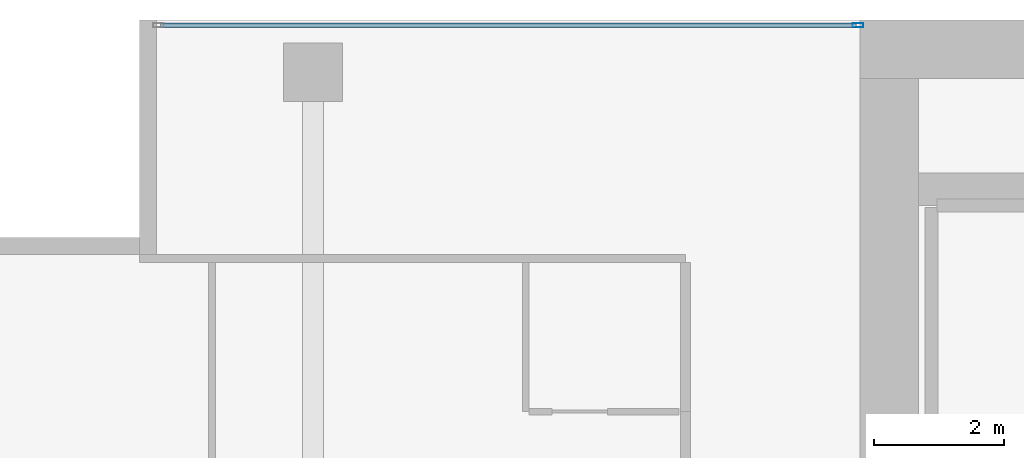
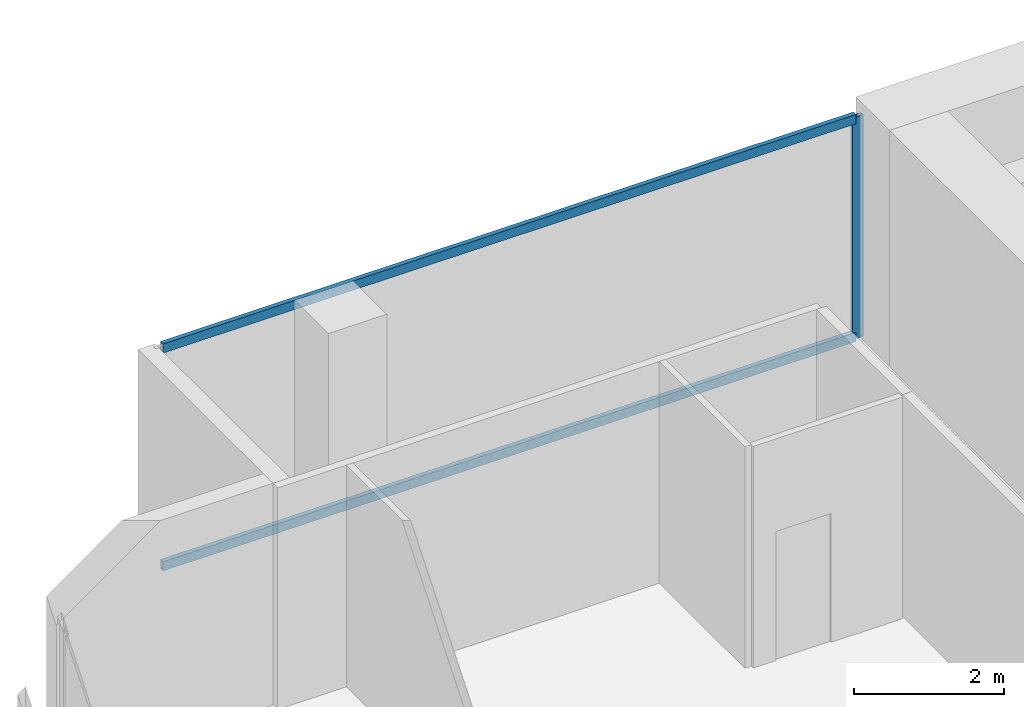
# One storey, part 26 of 39: 3 members, 1 element without a shape of its own.
"""IFC4 building model written with IfcOpenShell, lengths in metres."""

from ifc_helpers import new_model, si_unit, direction, frame, origin, origin_2d, place, context, subcontext, project, spatial, hollow_rectangle, extrude, material, layer, layer_set, material_profile, profile_set, type_object, element, aggregate, save


model = new_model("IFC4")

# Units and contexts
model_context = context("Model", 3, precision=1e-05, world=origin(), true_north=direction((0.0, 1.0)))
body_context = subcontext(model_context, "Body", "Model", "MODEL_VIEW")
ifc_project = project(units=[si_unit("LENGTHUNIT", "METRE"), si_unit("AREAUNIT", "SQUARE_METRE"), si_unit("VOLUMEUNIT", "CUBIC_METRE"), si_unit("PLANEANGLEUNIT", "RADIAN"), si_unit("MASSUNIT", "GRAM", prefix="KILO")], contexts=[model_context])

# Site, building, storey
site_placement = place(None, origin())
site = spatial("IfcSite", under=ifc_project, at=site_placement, CompositionType="ELEMENT")
building_placement = place(site_placement, origin())
building = spatial("IfcBuilding", under=site, at=building_placement, Name="Maruvema Waterfront Hotel and Observation Tower", CompositionType="ELEMENT")
storey_placement = place(building_placement, frame((0.0, 0.0, 65.449951171875)))
storey = spatial("IfcBuildingStorey", under=building, at=storey_placement, Name="L15", CompositionType="ELEMENT", Elevation=65.449951171875)

# Curtain wall, members
ifc_material_1 = material(Name="Anodised bronze aluminium and solar-control low-E IGU", Category="aluminium")
ifc_layer = layer(ifc_material_1, 0.159912109375, Name="Zone 1 Bronze Inner Thermal Curtain Wall System CW-02")
ifc_layer_set = layer_set([ifc_layer], Name="Anodised bronze aluminium and solar-control low-E IGU")
curtain_wall_type = type_object("IfcCurtainWallType", Name="Zone 1 Bronze Inner Thermal Curtain Wall System CW-02", PredefinedType="USERDEFINED", material=ifc_layer_set)
curtain_wall_placement = place(storey_placement, origin())
curtain_wall = element("IfcCurtainWall", 1, at=curtain_wall_placement, inside=storey, type_object=curtain_wall_type, Name="L15 Curtain Wall CW-L15-NW", ObjectType="UNITISED CURTAIN WALL", PredefinedType="USERDEFINED")
ifc_material_2 = material(Name="Anodised architectural bronze aluminium", Category="aluminium")
ifc_material_profile_1 = material_profile(ifc_material_2, hollow_rectangle(XDim=0.070068359375, YDim=0.14990234375, WallThickness=0.00390625, at=origin_2d()), Name="ALU-T70x150")
ifc_profile_set_1 = profile_set([ifc_material_profile_1], Name="Anodised architectural bronze aluminium")
member_type_1 = type_object("IfcMemberType", Name="Curtain Wall Horizontal Transom ALU-T70x150", PredefinedType="USERDEFINED", material=ifc_profile_set_1)
member_1_placement = place(storey_placement, frame((25.139892578125, 53.919921875, 0.030029296875), z_axis=(-1.0, 0.0, 0.0), x_axis=(0.0, -1.0, 0.0)))
member_1 = element("IfcMember", 2, at=member_1_placement, type_object=member_type_1, Name="CW-02 transom 1.1", ObjectType="TRANSOM", PredefinedType="USERDEFINED", context=body_context, shape_type="SweptSolid", body=[
    extrude(hollow_rectangle(XDim=0.070068359375, YDim=0.14990234375, WallThickness=0.00390625, at=origin_2d()), origin(), (0.0, 0.0, 1.0), 10.679931640625),
])
member_2_placement = place(storey_placement, frame((25.139892578125, 53.919921875, 3.580078125), z_axis=(-1.0, 0.0, 0.0), x_axis=(0.0, -1.0, 0.0)))
member_2 = element("IfcMember", 3, at=member_2_placement, type_object=member_type_1, Name="CW-02 transom 1.2", ObjectType="TRANSOM", PredefinedType="USERDEFINED", context=body_context, shape_type="SweptSolid", body=[
    extrude(hollow_rectangle(XDim=0.070068359375, YDim=0.14990234375, WallThickness=0.00390625, at=origin_2d()), origin(), (0.0, 0.0, 1.0), 10.679931640625),
])
ifc_material_3 = material(Name="Anodised architectural bronze aluminium", Category="aluminium")
ifc_material_profile_2 = material_profile(ifc_material_3, hollow_rectangle(XDim=0.06494140625, YDim=0.1650390625, WallThickness=0.00390625, at=origin_2d()), Name="ALU-M65x165")
ifc_profile_set_2 = profile_set([ifc_material_profile_2], Name="Anodised architectural bronze aluminium")
member_type_2 = type_object("IfcMemberType", Name="Curtain Wall Primary Mullion ALU-M65x165", PredefinedType="MULLION", material=ifc_profile_set_2)
member_3_placement = place(storey_placement, frame((25.169921875, 53.919921875, 0.0), z_axis=(0.0, 0.0, 1.0), x_axis=(0.0, -1.0, 0.0)))
member_3 = element("IfcMember", 4, at=member_3_placement, type_object=member_type_2, Name="CW-02 mullion 1", PredefinedType="MULLION", context=body_context, shape_type="SweptSolid", body=[
    extrude(hollow_rectangle(XDim=0.06494140625, YDim=0.1650390625, WallThickness=0.00390625, at=origin_2d()), origin(), (0.0, 0.0, 1.0), 3.610107421875),
])
aggregate(curtain_wall, [member_3, member_1, member_2])

save(model, "model.ifc")
